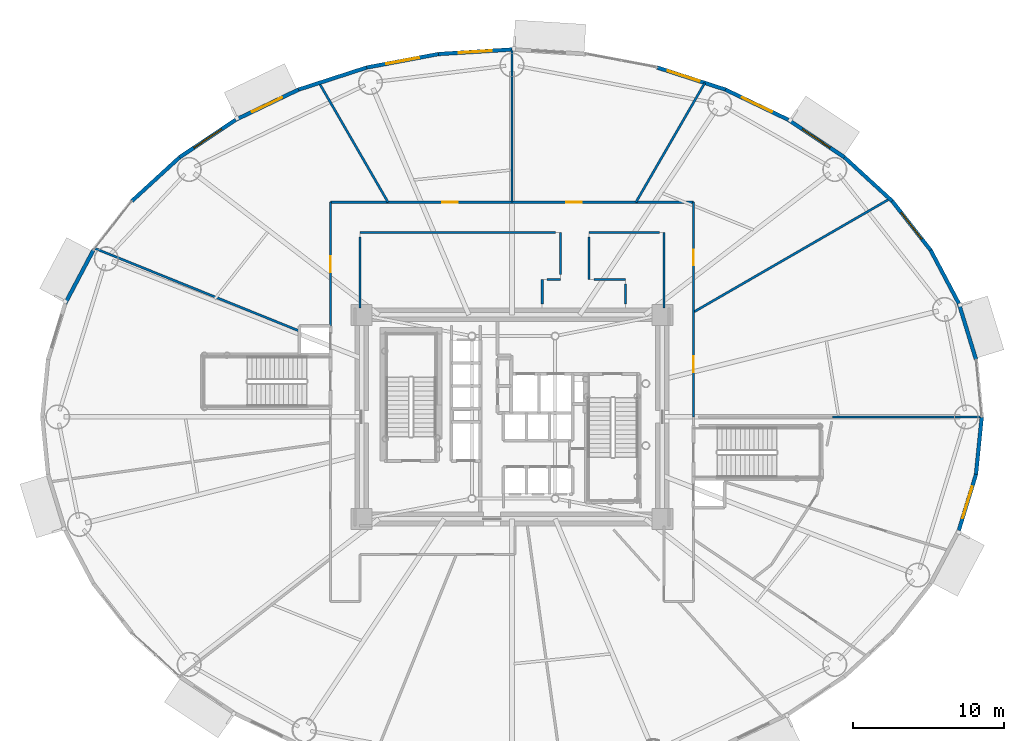
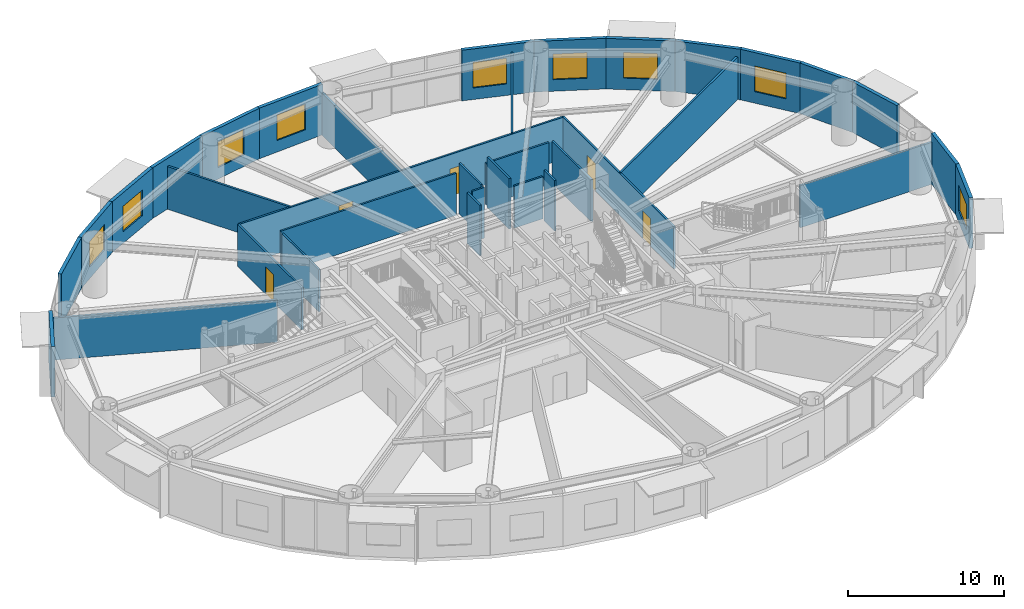
# One storey, part 16 of 29: 35 walls, 9 windows, 5 doors, 14 openings.
"""IFC4 building model written with IfcOpenShell, lengths in metres."""

import ifcopenshell
import ifcopenshell.guid

model = None  # the IFC model being written
_history = None  # IfcOwnerHistory: only IFC2X3 demands one
_inside = {}  # id of a spatial element -> (the spatial element, [elements in it])
_under = {}  # id of a project, library or spatial element -> (it, [spatial elements below it])
_declared = {}  # id of a project -> (the project, [libraries it declares])
_typed = {}  # id of a type object -> (the type object, [elements of that type])
_made_of = {}  # id of a material, layer set ... -> (it, [elements and type objects made of it])


def new_model(schema):
    """Start an empty IFC model of exactly this schema.

    Asked for "IFC4X3", IfcOpenShell would pick the latest addendum, in which some entities
    have other attributes; the version numbers below select the first issue.
    IFC2X3 requires an IfcOwnerHistory on every rooted entity: one is made here for all.
    """
    global model, _history
    if schema == "IFC4X3":
        model = ifcopenshell.file(schema_version=(4, 3, 0, 0))
    else:
        model = ifcopenshell.file(schema=schema)
    _inside.clear()
    _under.clear()
    _declared.clear()
    _typed.clear()
    _made_of.clear()
    _history = None
    if model.schema == "IFC2X3":
        org = make("IfcOrganization", Name="unknown")
        user = make(
            "IfcPersonAndOrganization",
            ThePerson=make("IfcPerson", FamilyName="unknown"),
            TheOrganization=org,
        )
        app = make(
            "IfcApplication",
            ApplicationDeveloper=org,
            Version="unknown",
            ApplicationFullName="unknown",
            ApplicationIdentifier="unknown",
        )
        _history = make(
            "IfcOwnerHistory",
            OwningUser=user,
            OwningApplication=app,
            ChangeAction="ADDED",
            CreationDate=0,
        )
    return model


def make(cls, **values):
    """One entity of the class cls with the attributes given. An attribute that is None is left unset."""
    return model.create_entity(
        cls, **{name: value for name, value in values.items() if value is not None}
    )


def rooted(cls, **values):
    """An entity with a GlobalId (a new one), such as an element, a storey or a relation."""
    return make(cls, GlobalId=ifcopenshell.guid.new(), OwnerHistory=_history, **values)


def si_unit(unit_type, name, prefix=None):
    """IfcSIUnit, for example si_unit("LENGTHUNIT", "METRE", prefix="MILLI")."""
    return make("IfcSIUnit", UnitType=unit_type, Prefix=prefix, Name=name)


def assignment(units):
    """IfcUnitAssignment: the units of a project."""
    return None if units is None else make("IfcUnitAssignment", Units=units)


def point(xyz):
    """IfcCartesianPoint."""
    return None if xyz is None else make("IfcCartesianPoint", Coordinates=xyz)


def direction(xyz):
    """IfcDirection."""
    return None if xyz is None else make("IfcDirection", DirectionRatios=xyz)


def frame(location, z_axis=None, x_axis=None):
    """IfcAxis2Placement3D, a coordinate frame: its origin and axes. An axis left out is left unset."""
    return make(
        "IfcAxis2Placement3D",
        Location=point(location),
        Axis=direction(z_axis),
        RefDirection=direction(x_axis),
    )


def frame_2d(location, x_axis=None):
    """IfcAxis2Placement2D, a coordinate frame in the plane: its origin and x axis."""
    return make(
        "IfcAxis2Placement2D", Location=point(location), RefDirection=direction(x_axis)
    )


def origin():
    """The frame at (0, 0, 0) with its axes left unset."""
    return frame((0.0, 0.0, 0.0))


def origin_2d():
    """The frame at (0, 0) in the plane with its x axis left unset."""
    return frame_2d((0.0, 0.0))


def place(relative_to, where):
    """IfcLocalPlacement: puts the frame where relative to a parent placement (None: the world)."""
    return make(
        "IfcLocalPlacement", PlacementRelTo=relative_to, RelativePlacement=where
    )


def context(
    kind, dimensions, precision=None, world=None, true_north=None, identifier=None
):
    """IfcGeometricRepresentationContext, for example the 3D "Model" context."""
    return make(
        "IfcGeometricRepresentationContext",
        ContextIdentifier=identifier,
        ContextType=kind,
        CoordinateSpaceDimension=dimensions,
        Precision=precision,
        WorldCoordinateSystem=world,
        TrueNorth=true_north,
    )


def subcontext(parent, identifier, kind, view, scale=None):
    """IfcGeometricRepresentationSubContext, for example "Body" below "Model"."""
    return make(
        "IfcGeometricRepresentationSubContext",
        ContextIdentifier=identifier,
        ContextType=kind,
        ParentContext=parent,
        TargetScale=scale,
        TargetView=view,
    )


def project(units=None, contexts=None):
    """IfcProject with its units and contexts."""
    return rooted(
        "IfcProject",
        Name="project",
        RepresentationContexts=contexts,
        UnitsInContext=assignment(units),
    )


def spatial(cls, under=None, at=None, **own):
    """A site, building, storey or space (cls), placed at a placement, below another one or the project."""
    s = rooted(cls, ObjectPlacement=at, **own)
    if under is not None:
        _under.setdefault(under.id(), (under, []))[1].append(s)
    return s


def profile(cls, at=None, kind="AREA", **sizes):
    """A parametric profile (cls). Its sizes go by their IFC names, for example OverallWidth=200.0."""
    return make(cls, ProfileType=kind, Position=at, **sizes)


def rectangle(**sizes):
    """IfcRectangleProfileDef."""
    return profile("IfcRectangleProfileDef", **sizes)


def extrude(swept, where, along, depth):
    """IfcExtrudedAreaSolid: the profile swept, set in the frame where, extruded along a direction by depth."""
    return make(
        "IfcExtrudedAreaSolid",
        SweptArea=swept,
        Position=where,
        ExtrudedDirection=direction(along),
        Depth=depth,
    )


def shape(context_of_items, identifier, shape_type, items):
    """IfcShapeRepresentation: the items that make up one representation, for example the "Body"."""
    return make(
        "IfcShapeRepresentation",
        ContextOfItems=context_of_items,
        RepresentationIdentifier=identifier,
        RepresentationType=shape_type,
        Items=items,
    )


def source(mapping_origin, context_of_items, identifier, shape_type, items):
    """IfcRepresentationMap: a shape defined once, which mapped items show again and again."""
    return make(
        "IfcRepresentationMap",
        MappingOrigin=mapping_origin,
        MappedRepresentation=shape(context_of_items, identifier, shape_type, items),
    )


def transform(
    local_origin,
    x_axis=None,
    y_axis=None,
    z_axis=None,
    scale=None,
    scale2=None,
    scale3=None,
    uniform=True,
):
    """IfcCartesianTransformationOperator3D, or its non-uniform kind. x_axis, y_axis, z_axis: its Axis1, 2, 3."""
    if uniform:
        return make(
            "IfcCartesianTransformationOperator3D",
            Axis1=direction(x_axis),
            Axis2=direction(y_axis),
            LocalOrigin=point(local_origin),
            Scale=scale,
            Axis3=direction(z_axis),
        )
    return make(
        "IfcCartesianTransformationOperator3DnonUniform",
        Axis1=direction(x_axis),
        Axis2=direction(y_axis),
        LocalOrigin=point(local_origin),
        Scale=scale,
        Axis3=direction(z_axis),
        Scale2=scale2,
        Scale3=scale3,
    )


def mapped(mapping_source, mapping_target):
    """IfcMappedItem: shows the shape of a source again, moved by a transform."""
    return make(
        "IfcMappedItem", MappingSource=mapping_source, MappingTarget=mapping_target
    )


def material(Name=None, Category=None):
    """IfcMaterial."""
    return make("IfcMaterial", Name=Name, Category=Category)


def layer(
    of_material, thickness, ventilated=None, Name=None, Category=None, Priority=None
):
    """IfcMaterialLayer: one layer of a wall or slab, of a material (None: an air gap)."""
    return make(
        "IfcMaterialLayer",
        Material=of_material,
        LayerThickness=thickness,
        IsVentilated=ventilated,
        Name=Name,
        Category=Category,
        Priority=Priority,
    )


def layer_set(layers, Name=None):
    """IfcMaterialLayerSet."""
    return make("IfcMaterialLayerSet", MaterialLayers=layers, LayerSetName=Name)


def made_of(thing, what):
    """Note that an element or type object is made of a material, layer set ...; save() writes the relation."""
    if what is not None:
        _made_of.setdefault(what.id(), (what, []))[1].append(thing)
    return thing


def type_object(cls, material=None, **own):
    """A type object (cls), such as IfcWallType, which elements share."""
    return made_of(rooted(cls, **own), material)


def element(
    cls,
    number,
    at=None,
    inside=None,
    cuts=None,
    type_object=None,
    material=None,
    context=None,
    identifier="Body",
    shape_type=None,
    held_by="IfcProductDefinitionShape",
    body=None,
    shapes=None,
    **own,
):
    """One element of the class cls, such as IfcWall. Its Tag is "e" and its number.

    at: its placement. inside: the storey or other place that contains it. cuts: it is an
    opening in that element (IfcRelVoidsElement). A single representation is given by context,
    identifier, shape_type and body (its items); several are given by shapes. held_by: the class
    of the entity that holds the representations. save() writes the other relations.
    """
    e = rooted(cls, Tag="e%d" % number, ObjectPlacement=at, **own)
    if body is not None:
        shapes = [shape(context, identifier, shape_type, body)]
    if shapes is not None:
        e.Representation = make(held_by, Representations=shapes)
    if inside is not None:
        _inside.setdefault(inside.id(), (inside, []))[1].append(e)
    if cuts is not None:
        rooted(
            "IfcRelVoidsElement", RelatingBuildingElement=cuts, RelatedOpeningElement=e
        )
    if type_object is not None:
        _typed.setdefault(type_object.id(), (type_object, []))[1].append(e)
    return made_of(e, material)


def fill(opening, filler):
    """IfcRelFillsElement: the door or window that sits in an opening."""
    return rooted(
        "IfcRelFillsElement",
        RelatingOpeningElement=opening,
        RelatedBuildingElement=filler,
    )


def aggregate(whole, parts):
    """IfcRelAggregates: a whole, such as a stair, and the parts it consists of."""
    return rooted("IfcRelAggregates", RelatingObject=whole, RelatedObjects=parts)


def save(model, path):
    """Write the relations noted so far, then the file.

    IfcRelAggregates (storeys below a building ...), IfcRelContainedInSpatialStructure (elements
    in a storey), IfcRelDefinesByType, IfcRelAssociatesMaterial and IfcRelDeclares: one each for
    every whole, place, type object, material and project.
    """
    for whole, parts in _under.values():
        aggregate(whole, parts)
    for where, things in _inside.values():
        rooted(
            "IfcRelContainedInSpatialStructure",
            RelatedElements=things,
            RelatingStructure=where,
        )
    for kind, things in _typed.values():
        rooted("IfcRelDefinesByType", RelatedObjects=things, RelatingType=kind)
    for what, things in _made_of.values():
        rooted("IfcRelAssociatesMaterial", RelatedObjects=things, RelatingMaterial=what)
    for by, libraries in _declared.values():
        rooted("IfcRelDeclares", RelatingContext=by, RelatedDefinitions=libraries)
    model.write(path)


model = new_model("IFC4")

# Units and contexts
model_context = context("Model", 3, precision=1e-05, world=origin(), true_north=direction((0.0, 1.0)))
body_context = subcontext(model_context, "Body", "Model", "MODEL_VIEW")
ifc_project = project(units=[si_unit("LENGTHUNIT", "METRE"), si_unit("AREAUNIT", "SQUARE_METRE"), si_unit("VOLUMEUNIT", "CUBIC_METRE"), si_unit("PLANEANGLEUNIT", "RADIAN"), si_unit("MASSUNIT", "GRAM", prefix="KILO")], contexts=[model_context])

# Site, building, storey
site_placement = place(None, origin())
site = spatial("IfcSite", under=ifc_project, at=site_placement, CompositionType="ELEMENT")
building_placement = place(site_placement, origin())
building = spatial("IfcBuilding", under=site, at=building_placement, Name="Linh Dai School and Residence Tower", CompositionType="ELEMENT")
storey_placement = place(building_placement, frame((0.0, 0.0, 45.0)))
storey = spatial("IfcBuildingStorey", under=building, at=storey_placement, Name="L10", CompositionType="ELEMENT", Elevation=45.0)

# Walls
ifc_material_1 = material(Name="Precast Concrete B45 (C35/45)", Category="concrete")
ifc_layer_1 = layer(ifc_material_1, 0.25)
ifc_layer_set_1 = layer_set([ifc_layer_1], Name="Precast Concrete B45 (C35/45)")
wall_type_1 = type_object("IfcWallType", Name="EW-TC-250", PredefinedType="SOLIDWALL", material=ifc_layer_set_1)
wall_1_placement = place(storey_placement, frame((65.5576171875, 34.50146484375, 0.0), z_axis=(0.0, 0.0, 1.0), x_axis=(0.293111631758, -0.956078224482, 0.0)))
element("IfcWall", 1, at=wall_1_placement, inside=storey, type_object=wall_type_1, Name="L10 Terracotta Exterior Wall 02", PredefinedType="SOLIDWALL", context=body_context, shape_type="SweptSolid", body=[
    extrude(rectangle(XDim=3.874755859375, YDim=0.25, at=frame_2d((1.9375, 0.0))), origin(), (0.0, 0.0, 1.0), 3.949951171875),
])
wall_2_placement = place(storey_placement, frame((63.694580078125, 38.022705078125, 0.0), z_axis=(0.0, 0.0, 1.0), x_axis=(0.467662443071, -0.883907144072, 0.0)))
element("IfcWall", 2, at=wall_2_placement, inside=storey, type_object=wall_type_1, Name="L10 Terracotta Exterior Wall 03", PredefinedType="SOLIDWALL", context=body_context, shape_type="SweptSolid", body=[
    extrude(rectangle(XDim=3.983642578125, YDim=0.25, at=frame_2d((1.99169921875, 0.0))), origin(), (0.0, 0.0, 1.0), 3.949951171875),
])

# Wall, opening, window
wall_3_placement = place(storey_placement, frame((61.149658203125, 41.274658203125, 0.0), z_axis=(0.0, 0.0, 1.0), x_axis=(0.616295508253, -0.787514981767, 0.0)))
wall_3 = element("IfcWall", 3, at=wall_3_placement, inside=storey, type_object=wall_type_1, Name="L10 Terracotta Exterior Wall 04", PredefinedType="SOLIDWALL", context=body_context, shape_type="SweptSolid", body=[
    extrude(rectangle(XDim=4.12939453125, YDim=0.25, at=frame_2d((2.064697265625, 0.0))), origin(), (0.0, 0.0, 1.0), 3.949951171875),
])
opening_1_placement = place(wall_3_placement, frame((0.964599609375, 0.0, 0.89990234375)))
opening_1 = element("IfcOpeningElement", 4, at=opening_1_placement, cuts=wall_3, Name="Opening W4", PredefinedType="OPENING", context=body_context, shape_type="SweptSolid", body=[
    extrude(rectangle(XDim=2.199951171875, YDim=2.0, at=origin_2d()), frame((1.10009765625, 0.135009765625, 1.0), z_axis=(0.0, -1.0, 0.0), x_axis=(1.0, 0.0, 0.0)), (0.0, 0.0, 1.0), 0.27001953125),
])
ifc_material_2 = material(Name="Acoustic Laminated Low-E Glazing", Category="glass")
window_type = type_object("IfcWindowType", Name="WN-SCH-2200x2000", PartitioningType="TRIPLE_PANEL_VERTICAL", PredefinedType="WINDOW", material=ifc_material_2)
shared_shape_1 = source(origin(), body_context, "Body", "SweptSolid", [
    extrude(rectangle(XDim=2.199951171875, YDim=2.0, at=origin_2d()), frame((1.10009765625, 0.030029296875, 1.0), z_axis=(0.0, -1.0, 0.0), x_axis=(1.0, 0.0, 0.0)), (0.0, 0.0, 1.0), 0.06005859375),
])
window_1_placement = place(opening_1_placement, origin())
window_1 = element("IfcWindow", 5, at=window_1_placement, inside=storey, type_object=window_type, Name="L10 Exterior Window 04.1", OverallHeight=2.0, OverallWidth=2.199951171875, PartitioningType="TRIPLE_PANEL_VERTICAL", PredefinedType="WINDOW", context=body_context, shape_type="MappedRepresentation", body=[
    mapped(shared_shape_1, transform((0.0, 0.0, 0.0), x_axis=(1.0, 0.0, 0.0), y_axis=(0.0, 1.0, 0.0), z_axis=(0.0, 0.0, 1.0), scale=1.0)),
])
fill(opening_1, window_1)

# Wall
wall_4_placement = place(storey_placement, frame((57.984619140625, 44.17626953125, 0.0), z_axis=(0.0, 0.0, 1.0), x_axis=(0.737116376281, -0.67576582321, 0.0)))
element("IfcWall", 6, at=wall_4_placement, inside=storey, type_object=wall_type_1, Name="L10 Terracotta Exterior Wall 05", PredefinedType="SOLIDWALL", context=body_context, shape_type="SweptSolid", body=[
    extrude(rectangle(XDim=4.293701171875, YDim=0.25, at=frame_2d((2.14697265625, 0.0))), origin(), (0.0, 0.0, 1.0), 3.949951171875),
])

# Wall, opening, window
wall_5_placement = place(storey_placement, frame((54.277099609375, 46.65576171875, 0.0), z_axis=(0.0, 0.0, 1.0), x_axis=(0.831240982525, -0.555912249343, 0.0)))
wall_5 = element("IfcWall", 7, at=wall_5_placement, inside=storey, type_object=wall_type_1, Name="L10 Terracotta Exterior Wall 06", PredefinedType="SOLIDWALL", context=body_context, shape_type="SweptSolid", body=[
    extrude(rectangle(XDim=4.460205078125, YDim=0.25, at=frame_2d((2.22998046875, 0.0))), origin(), (0.0, 0.0, 1.0), 3.949951171875),
])
opening_2_placement = place(wall_5_placement, frame((1.1298828125, 0.0, 0.89990234375)))
opening_2 = element("IfcOpeningElement", 8, at=opening_2_placement, cuts=wall_5, Name="Opening W4", PredefinedType="OPENING", context=body_context, shape_type="SweptSolid", body=[
    extrude(rectangle(XDim=2.199951171875, YDim=2.0, at=origin_2d()), frame((1.10009765625, 0.135009765625, 1.0), z_axis=(0.0, -1.0, 0.0), x_axis=(1.0, 0.0, 0.0)), (0.0, 0.0, 1.0), 0.27001953125),
])
window_2_placement = place(opening_2_placement, origin())
window_2 = element("IfcWindow", 9, at=window_2_placement, inside=storey, type_object=window_type, Name="L10 Exterior Window 06.1", OverallHeight=2.0, OverallWidth=2.199951171875, PartitioningType="TRIPLE_PANEL_VERTICAL", PredefinedType="WINDOW", context=body_context, shape_type="MappedRepresentation", body=[
    mapped(shared_shape_1, transform((0.0, 0.0, 0.0), x_axis=(1.0, 0.0, 0.0), y_axis=(0.0, 1.0, 0.0), z_axis=(0.0, 0.0, 1.0), scale=1.0)),
])
fill(opening_2, window_2)

wall_6_placement = place(storey_placement, frame((50.1181640625, 48.651123046875, 0.0), z_axis=(0.0, 0.0, 1.0), x_axis=(0.901601503137, -0.432567601123, 0.0)))
wall_6 = element("IfcWall", 10, at=wall_6_placement, inside=storey, type_object=wall_type_1, Name="L10 Terracotta Exterior Wall 07", PredefinedType="SOLIDWALL", context=body_context, shape_type="SweptSolid", body=[
    extrude(rectangle(XDim=4.61279296875, YDim=0.25, at=frame_2d((2.306396484375, 0.0))), origin(), (0.0, 0.0, 1.0), 3.949951171875),
])
opening_3_placement = place(wall_6_placement, frame((1.206298828125, 0.0, 0.89990234375)))
opening_3 = element("IfcOpeningElement", 11, at=opening_3_placement, cuts=wall_6, Name="Opening W4", PredefinedType="OPENING", context=body_context, shape_type="SweptSolid", body=[
    extrude(rectangle(XDim=2.199951171875, YDim=2.0, at=origin_2d()), frame((1.10009765625, 0.135009765625, 1.0), z_axis=(0.0, -1.0, 0.0), x_axis=(1.0, 0.0, 0.0)), (0.0, 0.0, 1.0), 0.27001953125),
])
window_3_placement = place(opening_3_placement, origin())
window_3 = element("IfcWindow", 12, at=window_3_placement, inside=storey, type_object=window_type, Name="L10 Exterior Window 07.1", OverallHeight=2.0, OverallWidth=2.199951171875, PartitioningType="TRIPLE_PANEL_VERTICAL", PredefinedType="WINDOW", context=body_context, shape_type="MappedRepresentation", body=[
    mapped(shared_shape_1, transform((0.0, 0.0, 0.0), x_axis=(1.0, 0.0, 0.0), y_axis=(0.0, 1.0, 0.0), z_axis=(0.0, 0.0, 1.0), scale=1.0)),
])
fill(opening_3, window_3)

wall_7_placement = place(storey_placement, frame((45.610595703125, 50.11328125, 0.0), z_axis=(0.0, 0.0, 1.0), x_axis=(0.951207699013, -0.308551313946, 0.0)))
wall_7 = element("IfcWall", 13, at=wall_7_placement, inside=storey, type_object=wall_type_1, Name="L10 Terracotta Exterior Wall 08", PredefinedType="SOLIDWALL", context=body_context, shape_type="SweptSolid", body=[
    extrude(rectangle(XDim=4.73876953125, YDim=0.25, at=frame_2d((2.369384765625, 0.0))), origin(), (0.0, 0.0, 1.0), 3.949951171875),
])
opening_4_placement = place(wall_7_placement, frame((0.73388671875, 0.0, 0.89990234375)))
opening_4 = element("IfcOpeningElement", 14, at=opening_4_placement, cuts=wall_7, Name="Opening W4", PredefinedType="OPENING", context=body_context, shape_type="SweptSolid", body=[
    extrude(rectangle(XDim=2.199951171875, YDim=2.0, at=origin_2d()), frame((1.10009765625, 0.135009765625, 1.0), z_axis=(0.0, -1.0, 0.0), x_axis=(1.0, 0.0, 0.0)), (0.0, 0.0, 1.0), 0.27001953125),
])
window_4_placement = place(opening_4_placement, origin())
window_4 = element("IfcWindow", 15, at=window_4_placement, inside=storey, type_object=window_type, Name="L10 Exterior Window 08.1", OverallHeight=2.0, OverallWidth=2.199951171875, PartitioningType="TRIPLE_PANEL_VERTICAL", PredefinedType="WINDOW", context=body_context, shape_type="MappedRepresentation", body=[
    mapped(shared_shape_1, transform((0.0, 0.0, 0.0), x_axis=(1.0, 0.0, 0.0), y_axis=(0.0, 1.0, 0.0), z_axis=(0.0, 0.0, 1.0), scale=1.0)),
])
fill(opening_4, window_4)

wall_8_placement = place(storey_placement, frame((31.134521484375, 51.005126953125, 0.0), z_axis=(0.0, 0.0, 1.0), x_axis=(0.998106954071, 0.061502099433, 0.0)))
wall_8 = element("IfcWall", 16, at=wall_8_placement, inside=storey, type_object=wall_type_1, Name="L10 Terracotta Exterior Wall 11", PredefinedType="SOLIDWALL", context=body_context, shape_type="SweptSolid", body=[
    extrude(rectangle(XDim=4.874755859375, YDim=0.25, at=frame_2d((2.4375, 0.0))), origin(), (0.0, 0.0, 1.0), 3.949951171875),
])
opening_5_placement = place(wall_8_placement, frame((1.33740234375, 0.0, 0.89990234375)))
opening_5 = element("IfcOpeningElement", 17, at=opening_5_placement, cuts=wall_8, Name="Opening W4", PredefinedType="OPENING", context=body_context, shape_type="SweptSolid", body=[
    extrude(rectangle(XDim=2.199951171875, YDim=2.0, at=origin_2d()), frame((1.10009765625, 0.135009765625, 1.0), z_axis=(0.0, -1.0, 0.0), x_axis=(1.0, 0.0, 0.0)), (0.0, 0.0, 1.0), 0.27001953125),
])
window_5_placement = place(opening_5_placement, origin())
window_5 = element("IfcWindow", 18, at=window_5_placement, inside=storey, type_object=window_type, Name="L10 Exterior Window 11.1", OverallHeight=2.0, OverallWidth=2.199951171875, PartitioningType="TRIPLE_PANEL_VERTICAL", PredefinedType="WINDOW", context=body_context, shape_type="MappedRepresentation", body=[
    mapped(shared_shape_1, transform((0.0, 0.0, 0.0), x_axis=(1.0, 0.0, 0.0), y_axis=(0.0, 1.0, 0.0), z_axis=(0.0, 0.0, 1.0), scale=1.0)),
])
fill(opening_5, window_5)

wall_9_placement = place(storey_placement, frame((26.389404296875, 50.11328125, 0.0), z_axis=(0.0, 0.0, 1.0), x_axis=(0.982791952378, 0.184715939598, 0.0)))
wall_9 = element("IfcWall", 19, at=wall_9_placement, inside=storey, type_object=wall_type_1, Name="L10 Terracotta Exterior Wall 12", PredefinedType="SOLIDWALL", context=body_context, shape_type="SweptSolid", body=[
    extrude(rectangle(XDim=4.828125, YDim=0.25, at=frame_2d((2.4140625, 0.0))), origin(), (0.0, 0.0, 1.0), 3.949951171875),
])
opening_6_placement = place(wall_9_placement, frame((1.314208984375, 0.0, 0.89990234375)))
opening_6 = element("IfcOpeningElement", 20, at=opening_6_placement, cuts=wall_9, Name="Opening W4", PredefinedType="OPENING", context=body_context, shape_type="SweptSolid", body=[
    extrude(rectangle(XDim=2.199951171875, YDim=2.0, at=origin_2d()), frame((1.10009765625, 0.135009765625, 1.0), z_axis=(0.0, -1.0, 0.0), x_axis=(1.0, 0.0, 0.0)), (0.0, 0.0, 1.0), 0.27001953125),
])
window_6_placement = place(opening_6_placement, origin())
window_6 = element("IfcWindow", 21, at=window_6_placement, inside=storey, type_object=window_type, Name="L10 Exterior Window 12.1", OverallHeight=2.0, OverallWidth=2.199951171875, PartitioningType="TRIPLE_PANEL_VERTICAL", PredefinedType="WINDOW", context=body_context, shape_type="MappedRepresentation", body=[
    mapped(shared_shape_1, transform((0.0, 0.0, 0.0), x_axis=(1.0, 0.0, 0.0), y_axis=(0.0, 1.0, 0.0), z_axis=(0.0, 0.0, 1.0), scale=1.0)),
])
fill(opening_6, window_6)

# Wall
wall_10_placement = place(storey_placement, frame((21.8818359375, 48.651123046875, 0.0), z_axis=(0.0, 0.0, 1.0), x_axis=(0.951207699013, 0.308551313946, 0.0)))
element("IfcWall", 22, at=wall_10_placement, inside=storey, type_object=wall_type_1, Name="L10 Terracotta Exterior Wall 13", PredefinedType="SOLIDWALL", context=body_context, shape_type="SweptSolid", body=[
    extrude(rectangle(XDim=4.73876953125, YDim=0.25, at=frame_2d((2.369384765625, 0.0))), origin(), (0.0, 0.0, 1.0), 3.949951171875),
])

# Wall, opening, window
wall_11_placement = place(storey_placement, frame((17.722900390625, 46.65576171875, 0.0), z_axis=(0.0, 0.0, 1.0), x_axis=(0.901601503137, 0.432567601123, 0.0)))
wall_11 = element("IfcWall", 23, at=wall_11_placement, inside=storey, type_object=wall_type_1, Name="L10 Terracotta Exterior Wall 14", PredefinedType="SOLIDWALL", context=body_context, shape_type="SweptSolid", body=[
    extrude(rectangle(XDim=4.61279296875, YDim=0.25, at=frame_2d((2.306396484375, 0.0))), origin(), (0.0, 0.0, 1.0), 3.949951171875),
])
opening_7_placement = place(wall_11_placement, frame((1.20654296875, 0.0, 0.89990234375)))
opening_7 = element("IfcOpeningElement", 24, at=opening_7_placement, cuts=wall_11, Name="Opening W4", PredefinedType="OPENING", context=body_context, shape_type="SweptSolid", body=[
    extrude(rectangle(XDim=2.199951171875, YDim=2.0, at=origin_2d()), frame((1.10009765625, 0.135009765625, 1.0), z_axis=(0.0, -1.0, 0.0), x_axis=(1.0, 0.0, 0.0)), (0.0, 0.0, 1.0), 0.27001953125),
])
window_7_placement = place(opening_7_placement, origin())
window_7 = element("IfcWindow", 25, at=window_7_placement, inside=storey, type_object=window_type, Name="L10 Exterior Window 14.1", OverallHeight=2.0, OverallWidth=2.199951171875, PartitioningType="TRIPLE_PANEL_VERTICAL", PredefinedType="WINDOW", context=body_context, shape_type="MappedRepresentation", body=[
    mapped(shared_shape_1, transform((0.0, 0.0, 0.0), x_axis=(1.0, 0.0, 0.0), y_axis=(0.0, 1.0, 0.0), z_axis=(0.0, 0.0, 1.0), scale=1.0)),
])
fill(opening_7, window_7)

wall_12_placement = place(storey_placement, frame((14.015380859375, 44.17626953125, 0.0), z_axis=(0.0, 0.0, 1.0), x_axis=(0.831240982525, 0.555912249343, 0.0)))
wall_12 = element("IfcWall", 26, at=wall_12_placement, inside=storey, type_object=wall_type_1, Name="L10 Terracotta Exterior Wall 15", PredefinedType="SOLIDWALL", context=body_context, shape_type="SweptSolid", body=[
    extrude(rectangle(XDim=4.460205078125, YDim=0.25, at=frame_2d((2.22998046875, 0.0))), origin(), (0.0, 0.0, 1.0), 3.949951171875),
])
opening_8_placement = place(wall_12_placement, frame((1.13037109375, 0.0, 0.89990234375)))
opening_8 = element("IfcOpeningElement", 27, at=opening_8_placement, cuts=wall_12, Name="Opening W4", PredefinedType="OPENING", context=body_context, shape_type="SweptSolid", body=[
    extrude(rectangle(XDim=2.199951171875, YDim=2.0, at=origin_2d()), frame((1.10009765625, 0.135009765625, 1.0), z_axis=(0.0, -1.0, 0.0), x_axis=(1.0, 0.0, 0.0)), (0.0, 0.0, 1.0), 0.27001953125),
])
window_8_placement = place(opening_8_placement, origin())
window_8 = element("IfcWindow", 28, at=window_8_placement, inside=storey, type_object=window_type, Name="L10 Exterior Window 15.1", OverallHeight=2.0, OverallWidth=2.199951171875, PartitioningType="TRIPLE_PANEL_VERTICAL", PredefinedType="WINDOW", context=body_context, shape_type="MappedRepresentation", body=[
    mapped(shared_shape_1, transform((0.0, 0.0, 0.0), x_axis=(1.0, 0.0, 0.0), y_axis=(0.0, 1.0, 0.0), z_axis=(0.0, 0.0, 1.0), scale=1.0)),
])
fill(opening_8, window_8)

# Walls
wall_13_placement = place(storey_placement, frame((10.850341796875, 41.274658203125, 0.0), z_axis=(0.0, 0.0, 1.0), x_axis=(0.737116376281, 0.67576582321, 0.0)))
element("IfcWall", 29, at=wall_13_placement, inside=storey, type_object=wall_type_1, Name="L10 Terracotta Exterior Wall 16", PredefinedType="SOLIDWALL", context=body_context, shape_type="SweptSolid", body=[
    extrude(rectangle(XDim=4.293701171875, YDim=0.25, at=frame_2d((2.14697265625, 0.0))), origin(), (0.0, 0.0, 1.0), 3.949951171875),
])
wall_14_placement = place(storey_placement, frame((6.4423828125, 34.50146484375, 0.0), z_axis=(0.0, 0.0, 1.0), x_axis=(0.467662443071, 0.883907144072, 0.0)))
element("IfcWall", 30, at=wall_14_placement, inside=storey, type_object=wall_type_1, Name="L10 Terracotta Exterior Wall 18", PredefinedType="SOLIDWALL", context=body_context, shape_type="SweptSolid", body=[
    extrude(rectangle(XDim=3.983642578125, YDim=0.25, at=frame_2d((1.99169921875, 0.0))), origin(), (0.0, 0.0, 1.0), 3.949951171875),
])

# Wall, opening, window
wall_15_placement = place(storey_placement, frame((66.693359375, 23.203125, 0.0), z_axis=(0.0, 0.0, 1.0), x_axis=(-0.293111631758, -0.956078224482, 0.0)))
wall_15 = element("IfcWall", 31, at=wall_15_placement, inside=storey, type_object=wall_type_1, Name="L10 Terracotta Exterior Wall 39", PredefinedType="SOLIDWALL", context=body_context, shape_type="SweptSolid", body=[
    extrude(rectangle(XDim=3.874755859375, YDim=0.25, at=frame_2d((1.9375, 0.0))), origin(), (0.0, 0.0, 1.0), 3.949951171875),
])
opening_9_placement = place(wall_15_placement, frame((0.83740234375, 0.0, 0.89990234375)))
opening_9 = element("IfcOpeningElement", 32, at=opening_9_placement, cuts=wall_15, Name="Opening W4", PredefinedType="OPENING", context=body_context, shape_type="SweptSolid", body=[
    extrude(rectangle(XDim=2.199951171875, YDim=2.0, at=origin_2d()), frame((1.10009765625, 0.135009765625, 1.0), z_axis=(0.0, -1.0, 0.0), x_axis=(1.0, 0.0, 0.0)), (0.0, 0.0, 1.0), 0.27001953125),
])
window_9_placement = place(opening_9_placement, origin())
window_9 = element("IfcWindow", 33, at=window_9_placement, inside=storey, type_object=window_type, Name="L10 Exterior Window 39.1", OverallHeight=2.0, OverallWidth=2.199951171875, PartitioningType="TRIPLE_PANEL_VERTICAL", PredefinedType="WINDOW", context=body_context, shape_type="MappedRepresentation", body=[
    mapped(shared_shape_1, transform((0.0, 0.0, 0.0), x_axis=(1.0, 0.0, 0.0), y_axis=(0.0, 1.0, 0.0), z_axis=(0.0, 0.0, 1.0), scale=1.0)),
])
fill(opening_9, window_9)

# Wall
wall_16_placement = place(storey_placement, frame((67.074951171875, 27.0, 0.0), z_axis=(0.0, 0.0, 1.0), x_axis=(-0.099997795174, -0.994987658698, 0.0)))
element("IfcWall", 34, at=wall_16_placement, inside=storey, type_object=wall_type_1, Name="L10 Terracotta Exterior Wall 40", PredefinedType="SOLIDWALL", context=body_context, shape_type="SweptSolid", body=[
    extrude(rectangle(XDim=3.81591796875, YDim=0.25, at=frame_2d((1.907958984375, 0.0))), origin(), (0.0, 0.0, 1.0), 3.949951171875),
])

# Wall, opening, door
ifc_material_3 = material(Name="Autoclaved Aerated Concrete Blockwork", Category="masonry")
ifc_layer_2 = layer(ifc_material_3, 0.135009765625)
ifc_layer_set_2 = layer_set([ifc_layer_2], Name="Autoclaved Aerated Concrete Blockwork")
wall_type_2 = type_object("IfcWallType", Name="IW-CORR-135-EI90", PredefinedType="PARTITIONING", material=ifc_layer_set_2)
wall_17_placement = place(storey_placement, frame((24.0, 33.010009765625, 0.0), z_axis=(0.0, 0.0, 1.0), x_axis=(0.0, 1.0, 0.0)))
wall_17 = element("IfcWall", 35, at=wall_17_placement, inside=storey, type_object=wall_type_2, Name="L10 Interior Partition Wall 013", PredefinedType="PARTITIONING", context=body_context, shape_type="SweptSolid", body=[
    extrude(rectangle(XDim=8.18994140625, YDim=0.135009765625, at=frame_2d((4.094970703125, 0.0))), origin(), (0.0, 0.0, 1.0), 3.284912109375),
])
opening_10_placement = place(wall_17_placement, frame((3.570068359375, 0.0, 0.0)))
opening_10 = element("IfcOpeningElement", 36, at=opening_10_placement, cuts=wall_17, Name="Opening D04", PredefinedType="OPENING", context=body_context, shape_type="SweptSolid", body=[
    extrude(rectangle(XDim=1.050048828125, YDim=2.14990234375, at=origin_2d()), frame((0.52490234375, 0.07763671875, 1.074951171875), z_axis=(0.0, -1.0, 0.0), x_axis=(1.0, 0.0, 0.0)), (0.0, 0.0, 1.0), 0.155029296875),
])
ifc_material_4 = material(Name="Acoustic Vision-Panel Timber Classroom Door", Category="wood")
door_type = type_object("IfcDoorType", Name="DR-SCH-1050x2150-FD60S", OperationType="NOTDEFINED", PredefinedType="DOOR", material=ifc_material_4)
shared_shape_2 = source(origin(), body_context, "Body", "SweptSolid", [
    extrude(rectangle(XDim=1.050048828125, YDim=2.14990234375, at=origin_2d()), frame((0.52490234375, 0.02490234375, 1.074951171875), z_axis=(0.0, -1.0, 0.0), x_axis=(1.0, 0.0, 0.0)), (0.0, 0.0, 1.0), 0.050048828125),
])
door_1_placement = place(opening_10_placement, origin())
door_1 = element("IfcDoor", 37, at=door_1_placement, inside=storey, type_object=door_type, Name="L10 Fine Art Painting Studio Door", OperationType="SINGLE_SWING_LEFT", OverallHeight=2.14990234375, OverallWidth=1.050048828125, PredefinedType="DOOR", context=body_context, shape_type="MappedRepresentation", body=[
    mapped(shared_shape_2, transform((0.0, 0.0, 0.0), x_axis=(1.0, 0.0, 0.0), y_axis=(0.0, 1.0, 0.0), z_axis=(0.0, 0.0, 1.0), scale=1.0)),
])
fill(opening_10, door_1)

# Wall, openings, doors
wall_18_placement = place(storey_placement, frame((24.0, 41.199951171875, 0.0), z_axis=(0.0, 0.0, 1.0), x_axis=(1.0, 0.0, 0.0)))
wall_18 = element("IfcWall", 38, at=wall_18_placement, inside=storey, type_object=wall_type_2, Name="L10 Interior Partition Wall 014", PredefinedType="PARTITIONING", context=body_context, shape_type="SweptSolid", body=[
    extrude(rectangle(XDim=24.0, YDim=0.135009765625, at=frame_2d((12.0, 0.0))), origin(), (0.0, 0.0, 1.0), 3.284912109375),
])
opening_11_placement = place(wall_18_placement, frame((15.57421875, 0.0, 0.0)))
opening_11 = element("IfcOpeningElement", 39, at=opening_11_placement, cuts=wall_18, Name="Opening D04", PredefinedType="OPENING", context=body_context, shape_type="SweptSolid", body=[
    extrude(rectangle(XDim=1.050048828125, YDim=2.14990234375, at=origin_2d()), frame((0.52490234375, 0.07763671875, 1.074951171875), z_axis=(0.0, -1.0, 0.0), x_axis=(1.0, 0.0, 0.0)), (0.0, 0.0, 1.0), 0.155029296875),
])
opening_12_placement = place(wall_18_placement, frame((7.375732421875, 0.0, 0.0)))
opening_12 = element("IfcOpeningElement", 40, at=opening_12_placement, cuts=wall_18, Name="Opening D04", PredefinedType="OPENING", context=body_context, shape_type="SweptSolid", body=[
    extrude(rectangle(XDim=1.050048828125, YDim=2.14990234375, at=origin_2d()), frame((0.52490234375, 0.07763671875, 1.074951171875), z_axis=(0.0, -1.0, 0.0), x_axis=(1.0, 0.0, 0.0)), (0.0, 0.0, 1.0), 0.155029296875),
])
door_2_placement = place(opening_11_placement, origin())
door_2 = element("IfcDoor", 41, at=door_2_placement, inside=storey, type_object=door_type, Name="L10 Secondary Classroom 3 Door", OperationType="SINGLE_SWING_LEFT", OverallHeight=2.14990234375, OverallWidth=1.050048828125, PredefinedType="DOOR", context=body_context, shape_type="MappedRepresentation", body=[
    mapped(shared_shape_2, transform((0.0, 0.0, 0.0), x_axis=(1.0, 0.0, 0.0), y_axis=(0.0, 1.0, 0.0), z_axis=(0.0, 0.0, 1.0), scale=1.0)),
])
fill(opening_11, door_2)
door_3_placement = place(opening_12_placement, origin())
door_3 = element("IfcDoor", 42, at=door_3_placement, inside=storey, type_object=door_type, Name="L10 Secondary Classroom 4 Door", OperationType="SINGLE_SWING_RIGHT", OverallHeight=2.14990234375, OverallWidth=1.050048828125, PredefinedType="DOOR", context=body_context, shape_type="MappedRepresentation", body=[
    mapped(shared_shape_2, transform((0.0, 0.0, 0.0), x_axis=(1.0, 0.0, 0.0), y_axis=(0.0, 1.0, 0.0), z_axis=(0.0, 0.0, 1.0), scale=1.0)),
])
fill(opening_12, door_3)

wall_19_placement = place(storey_placement, frame((48.0, 27.0, 0.0), z_axis=(0.0, 0.0, 1.0), x_axis=(0.0, 1.0, 0.0)))
wall_19 = element("IfcWall", 43, at=wall_19_placement, inside=storey, type_object=wall_type_2, Name="L10 Interior Partition Wall 065", PredefinedType="PARTITIONING", context=body_context, shape_type="SweptSolid", body=[
    extrude(rectangle(XDim=14.199951171875, YDim=0.135009765625, at=frame_2d((7.10009765625, 0.0))), origin(), (0.0, 0.0, 1.0), 3.284912109375),
])
opening_13_placement = place(wall_19_placement, frame((2.958984375, 0.0, 0.0)))
opening_13 = element("IfcOpeningElement", 44, at=opening_13_placement, cuts=wall_19, Name="Opening D04", PredefinedType="OPENING", context=body_context, shape_type="SweptSolid", body=[
    extrude(rectangle(XDim=1.050048828125, YDim=2.14990234375, at=origin_2d()), frame((0.52490234375, 0.07763671875, 1.074951171875), z_axis=(0.0, -1.0, 0.0), x_axis=(1.0, 0.0, 0.0)), (0.0, 0.0, 1.0), 0.155029296875),
])
opening_14_placement = place(wall_19_placement, frame((10.01904296875, 0.0, 0.0)))
opening_14 = element("IfcOpeningElement", 45, at=opening_14_placement, cuts=wall_19, Name="Opening D04", PredefinedType="OPENING", context=body_context, shape_type="SweptSolid", body=[
    extrude(rectangle(XDim=1.050048828125, YDim=2.14990234375, at=origin_2d()), frame((0.52490234375, 0.07763671875, 1.074951171875), z_axis=(0.0, -1.0, 0.0), x_axis=(1.0, 0.0, 0.0)), (0.0, 0.0, 1.0), 0.155029296875),
])
door_4_placement = place(opening_13_placement, origin())
door_4 = element("IfcDoor", 46, at=door_4_placement, inside=storey, type_object=door_type, Name="L10 Secondary Classroom 1 Door", OperationType="SINGLE_SWING_LEFT", OverallHeight=2.14990234375, OverallWidth=1.050048828125, PredefinedType="DOOR", context=body_context, shape_type="MappedRepresentation", body=[
    mapped(shared_shape_2, transform((0.0, 0.0, 0.0), x_axis=(1.0, 0.0, 0.0), y_axis=(0.0, 1.0, 0.0), z_axis=(0.0, 0.0, 1.0), scale=1.0)),
])
fill(opening_13, door_4)
door_5_placement = place(opening_14_placement, origin())
door_5 = element("IfcDoor", 47, at=door_5_placement, inside=storey, type_object=door_type, Name="L10 Secondary Classroom 2 Door", OperationType="SINGLE_SWING_RIGHT", OverallHeight=2.14990234375, OverallWidth=1.050048828125, PredefinedType="DOOR", context=body_context, shape_type="MappedRepresentation", body=[
    mapped(shared_shape_2, transform((0.0, 0.0, 0.0), x_axis=(1.0, 0.0, 0.0), y_axis=(0.0, 1.0, 0.0), z_axis=(0.0, 0.0, 1.0), scale=1.0)),
])
fill(opening_14, door_5)

# Walls
wall_20_placement = place(storey_placement, frame((46.050048828125, 34.199951171875, 0.0), z_axis=(0.0, 0.0, 1.0), x_axis=(0.0, 1.0, 0.0)))
element("IfcWall", 48, at=wall_20_placement, inside=storey, type_object=wall_type_2, Name="L10 Interior Partition Wall 090", PredefinedType="PARTITIONING", context=body_context, shape_type="SweptSolid", body=[
    extrude(rectangle(XDim=5.0, YDim=0.135009765625, at=frame_2d((2.5, 0.0))), origin(), (0.0, 0.0, 1.0), 3.284912109375),
])
wall_21_placement = place(storey_placement, frame((45.742431640625, 39.199951171875, 0.0), z_axis=(0.0, 0.0, 1.0), x_axis=(-1.0, 0.0, 0.0)))
element("IfcWall", 49, at=wall_21_placement, inside=storey, type_object=wall_type_2, Name="L10 Interior Partition Wall 091", PredefinedType="PARTITIONING", context=body_context, shape_type="SweptSolid", body=[
    extrude(rectangle(XDim=4.642333984375, YDim=0.135009765625, at=frame_2d((2.3212890625, 0.0))), origin(), (0.0, 0.0, 1.0), 3.284912109375),
])
wall_22_placement = place(storey_placement, frame((41.10009765625, 38.892578125, 0.0), z_axis=(0.0, 0.0, 1.0), x_axis=(0.0, -1.0, 0.0)))
element("IfcWall", 50, at=wall_22_placement, inside=storey, type_object=wall_type_2, Name="L10 Interior Partition Wall 092", PredefinedType="PARTITIONING", context=body_context, shape_type="SweptSolid", body=[
    extrude(rectangle(XDim=2.79248046875, YDim=0.135009765625, at=frame_2d((1.396240234375, 0.0))), origin(), (0.0, 0.0, 1.0), 3.949951171875),
])
wall_23_placement = place(storey_placement, frame((41.407470703125, 36.10009765625, 0.0), z_axis=(0.0, 0.0, 1.0), x_axis=(1.0, 0.0, 0.0)))
element("IfcWall", 51, at=wall_23_placement, inside=storey, type_object=wall_type_2, Name="L10 Interior Partition Wall 093", PredefinedType="PARTITIONING", context=body_context, shape_type="SweptSolid", body=[
    extrude(rectangle(XDim=2.092529296875, YDim=0.135009765625, at=frame_2d((1.04638671875, 0.0))), origin(), (0.0, 0.0, 1.0), 3.284912109375),
])
wall_24_placement = place(storey_placement, frame((43.5, 35.79248046875, 0.0), z_axis=(0.0, 0.0, 1.0), x_axis=(0.0, -1.0, 0.0)))
element("IfcWall", 52, at=wall_24_placement, inside=storey, type_object=wall_type_2, Name="L10 Interior Partition Wall 094", PredefinedType="PARTITIONING", context=body_context, shape_type="SweptSolid", body=[
    extrude(rectangle(XDim=1.33251953125, YDim=0.135009765625, at=frame_2d((0.666259765625, 0.0))), origin(), (0.0, 0.0, 1.0), 3.949951171875),
])
wall_25_placement = place(storey_placement, frame((38.0, 34.4599609375, 0.0), z_axis=(0.0, 0.0, 1.0), x_axis=(0.0, 1.0, 0.0)))
element("IfcWall", 53, at=wall_25_placement, inside=storey, type_object=wall_type_2, Name="L10 Interior Partition Wall 095", PredefinedType="PARTITIONING", context=body_context, shape_type="SweptSolid", body=[
    extrude(rectangle(XDim=1.64013671875, YDim=0.135009765625, at=frame_2d((0.820068359375, 0.0))), origin(), (0.0, 0.0, 1.0), 3.949951171875),
])
wall_26_placement = place(storey_placement, frame((38.3076171875, 36.10009765625, 0.0), z_axis=(0.0, 0.0, 1.0), x_axis=(1.0, 0.0, 0.0)))
element("IfcWall", 54, at=wall_26_placement, inside=storey, type_object=wall_type_2, Name="L10 Interior Partition Wall 096", PredefinedType="PARTITIONING", context=body_context, shape_type="SweptSolid", body=[
    extrude(rectangle(XDim=0.892333984375, YDim=0.135009765625, at=frame_2d((0.4462890625, 0.0))), origin(), (0.0, 0.0, 1.0), 3.949951171875),
])
wall_27_placement = place(storey_placement, frame((39.199951171875, 36.407470703125, 0.0), z_axis=(0.0, 0.0, 1.0), x_axis=(0.0, 1.0, 0.0)))
element("IfcWall", 55, at=wall_27_placement, inside=storey, type_object=wall_type_2, Name="L10 Interior Partition Wall 097", PredefinedType="PARTITIONING", context=body_context, shape_type="SweptSolid", body=[
    extrude(rectangle(XDim=2.79248046875, YDim=0.135009765625, at=frame_2d((1.396240234375, 0.0))), origin(), (0.0, 0.0, 1.0), 3.949951171875),
])
wall_28_placement = place(storey_placement, frame((38.892578125, 39.199951171875, 0.0), z_axis=(0.0, 0.0, 1.0), x_axis=(-1.0, 0.0, 0.0)))
element("IfcWall", 56, at=wall_28_placement, inside=storey, type_object=wall_type_2, Name="L10 Interior Partition Wall 098", PredefinedType="PARTITIONING", context=body_context, shape_type="SweptSolid", body=[
    extrude(rectangle(XDim=12.942626953125, YDim=0.135009765625, at=frame_2d((6.47119140625, 0.0))), origin(), (0.0, 0.0, 1.0), 3.284912109375),
])
wall_29_placement = place(storey_placement, frame((25.949951171875, 38.892578125, 0.0), z_axis=(0.0, 0.0, 1.0), x_axis=(0.0, -1.0, 0.0)))
element("IfcWall", 57, at=wall_29_placement, inside=storey, type_object=wall_type_2, Name="L10 Interior Partition Wall 099", PredefinedType="PARTITIONING", context=body_context, shape_type="SweptSolid", body=[
    extrude(rectangle(XDim=4.692626953125, YDim=0.135009765625, at=frame_2d((2.34619140625, 0.0))), origin(), (0.0, 0.0, 1.0), 3.284912109375),
])
ifc_layer_3 = layer(ifc_material_3, 0.14990234375)
ifc_layer_set_3 = layer_set([ifc_layer_3], Name="Autoclaved Aerated Concrete Blockwork")
wall_type_3 = type_object("IfcWallType", Name="IW-SCH-150-EI60", PredefinedType="PARTITIONING", material=ifc_layer_set_3)
wall_30_placement = place(storey_placement, frame((8.399658203125, 38.1513671875, 0.0), z_axis=(0.0, 0.0, 1.0), x_axis=(0.927179581649, -0.374617169084, 0.0)))
element("IfcWall", 58, at=wall_30_placement, inside=storey, type_object=wall_type_3, Name="L10 Interior Partition Wall 002", PredefinedType="PARTITIONING", context=body_context, shape_type="SweptSolid", body=[
    extrude(rectangle(XDim=14.614501953125, YDim=0.14990234375, at=frame_2d((7.30712890625, 0.0))), origin(), (0.0, 0.0, 1.0), 3.284912109375),
])
wall_31_placement = place(storey_placement, frame((23.241943359375, 49.09765625, 0.0), z_axis=(0.0, 0.0, 1.0), x_axis=(0.499985867395, -0.866033563094, 0.0)))
element("IfcWall", 59, at=wall_31_placement, inside=storey, type_object=wall_type_3, Name="L10 Interior Partition Wall 009", PredefinedType="PARTITIONING", context=body_context, shape_type="SweptSolid", body=[
    extrude(rectangle(XDim=9.119384765625, YDim=0.14990234375, at=frame_2d((4.5595703125, 0.0))), origin(), (0.0, 0.0, 1.0), 3.3349609375),
])
wall_32_placement = place(storey_placement, frame((36.0, 41.199951171875, 0.0), z_axis=(0.0, 0.0, 1.0), x_axis=(0.0, 1.0, 0.0)))
element("IfcWall", 60, at=wall_32_placement, inside=storey, type_object=wall_type_3, Name="L10 Interior Partition Wall 039", PredefinedType="PARTITIONING", context=body_context, shape_type="SweptSolid", body=[
    extrude(rectangle(XDim=10.110107421875, YDim=0.14990234375, at=frame_2d((5.05517578125, 0.0))), origin(), (0.0, 0.0, 1.0), 3.284912109375),
])
wall_33_placement = place(storey_placement, frame((44.198486328125, 41.199951171875, 0.0), z_axis=(0.0, 0.0, 1.0), x_axis=(0.499985867395, 0.866033563094, 0.0)))
element("IfcWall", 61, at=wall_33_placement, inside=storey, type_object=wall_type_3, Name="L10 Interior Partition Wall 055", PredefinedType="PARTITIONING", context=body_context, shape_type="SweptSolid", body=[
    extrude(rectangle(XDim=9.119384765625, YDim=0.14990234375, at=frame_2d((4.5595703125, 0.0))), origin(), (0.0, 0.0, 1.0), 3.3349609375),
])
wall_34_placement = place(storey_placement, frame((48.0, 33.92822265625, 0.0), z_axis=(0.0, 0.0, 1.0), x_axis=(0.86602186862, 0.500006123034, 0.0)))
element("IfcWall", 62, at=wall_34_placement, inside=storey, type_object=wall_type_3, Name="L10 Interior Partition Wall 066", PredefinedType="PARTITIONING", context=body_context, shape_type="SweptSolid", body=[
    extrude(rectangle(XDim=14.999267578125, YDim=0.14990234375, at=frame_2d((7.49951171875, 0.0))), origin(), (0.0, 0.0, 1.0), 3.3349609375),
])
wall_35_placement = place(storey_placement, frame((57.216064453125, 27.0, 0.0), z_axis=(0.0, 0.0, 1.0), x_axis=(1.0, 0.0, 0.0)))
element("IfcWall", 63, at=wall_35_placement, inside=storey, type_object=wall_type_3, Name="L10 Interior Partition Wall 073", PredefinedType="PARTITIONING", context=body_context, shape_type="SweptSolid", body=[
    extrude(rectangle(XDim=9.864013671875, YDim=0.14990234375, at=frame_2d((4.93212890625, 0.0))), origin(), (0.0, 0.0, 1.0), 3.284912109375),
])

save(model, "model.ifc")
